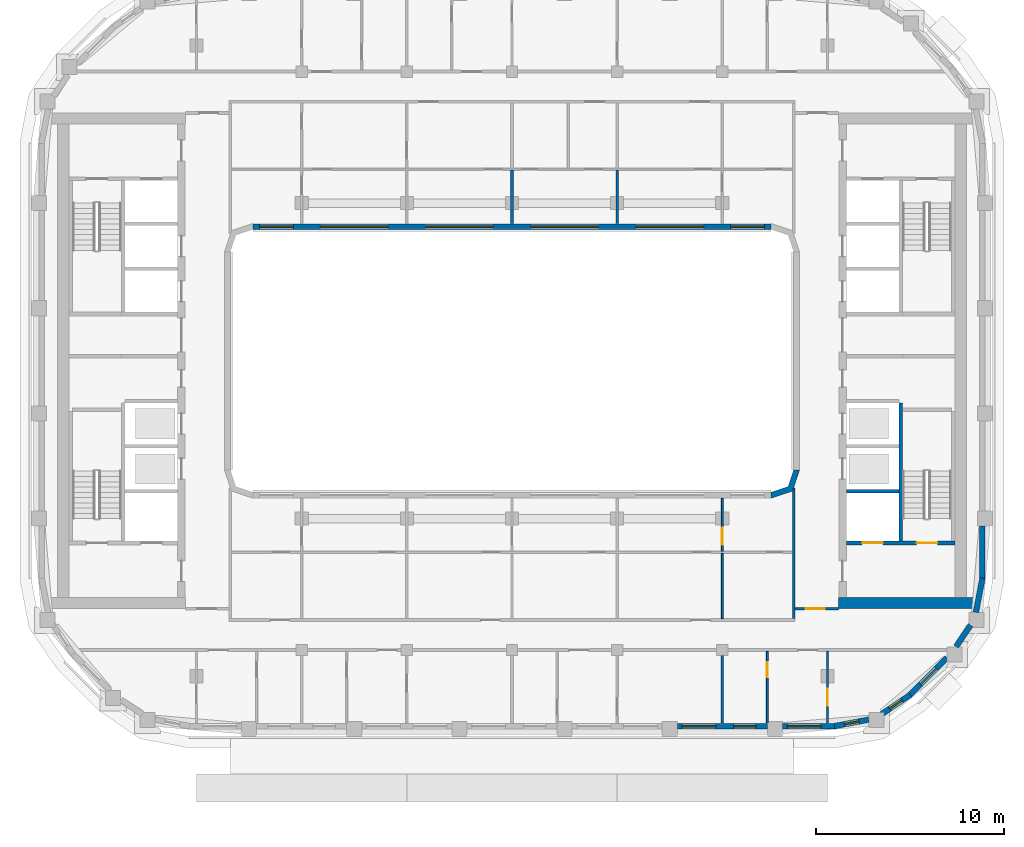
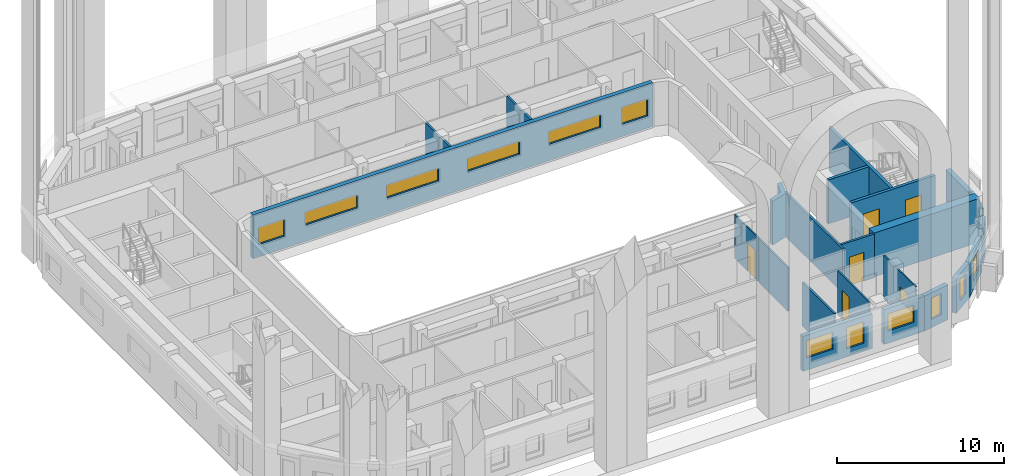
# One storey, part 5 of 19: 23 walls, 12 windows, 6 doors, 18 openings.
"""IFC4 building model written with IfcOpenShell, lengths in metres."""

import ifcopenshell
import ifcopenshell.guid

model = None  # the IFC model being written
_history = None  # IfcOwnerHistory: only IFC2X3 demands one
_inside = {}  # id of a spatial element -> (the spatial element, [elements in it])
_under = {}  # id of a project, library or spatial element -> (it, [spatial elements below it])
_declared = {}  # id of a project -> (the project, [libraries it declares])
_typed = {}  # id of a type object -> (the type object, [elements of that type])
_made_of = {}  # id of a material, layer set ... -> (it, [elements and type objects made of it])


def new_model(schema):
    """Start an empty IFC model of exactly this schema.

    Asked for "IFC4X3", IfcOpenShell would pick the latest addendum, in which some entities
    have other attributes; the version numbers below select the first issue.
    IFC2X3 requires an IfcOwnerHistory on every rooted entity: one is made here for all.
    """
    global model, _history
    if schema == "IFC4X3":
        model = ifcopenshell.file(schema_version=(4, 3, 0, 0))
    else:
        model = ifcopenshell.file(schema=schema)
    _inside.clear()
    _under.clear()
    _declared.clear()
    _typed.clear()
    _made_of.clear()
    _history = None
    if model.schema == "IFC2X3":
        org = make("IfcOrganization", Name="unknown")
        user = make(
            "IfcPersonAndOrganization",
            ThePerson=make("IfcPerson", FamilyName="unknown"),
            TheOrganization=org,
        )
        app = make(
            "IfcApplication",
            ApplicationDeveloper=org,
            Version="unknown",
            ApplicationFullName="unknown",
            ApplicationIdentifier="unknown",
        )
        _history = make(
            "IfcOwnerHistory",
            OwningUser=user,
            OwningApplication=app,
            ChangeAction="ADDED",
            CreationDate=0,
        )
    return model


def make(cls, **values):
    """One entity of the class cls with the attributes given. An attribute that is None is left unset."""
    return model.create_entity(
        cls, **{name: value for name, value in values.items() if value is not None}
    )


def rooted(cls, **values):
    """An entity with a GlobalId (a new one), such as an element, a storey or a relation."""
    return make(cls, GlobalId=ifcopenshell.guid.new(), OwnerHistory=_history, **values)


def si_unit(unit_type, name, prefix=None):
    """IfcSIUnit, for example si_unit("LENGTHUNIT", "METRE", prefix="MILLI")."""
    return make("IfcSIUnit", UnitType=unit_type, Prefix=prefix, Name=name)


def assignment(units):
    """IfcUnitAssignment: the units of a project."""
    return None if units is None else make("IfcUnitAssignment", Units=units)


def point(xyz):
    """IfcCartesianPoint."""
    return None if xyz is None else make("IfcCartesianPoint", Coordinates=xyz)


def direction(xyz):
    """IfcDirection."""
    return None if xyz is None else make("IfcDirection", DirectionRatios=xyz)


def frame(location, z_axis=None, x_axis=None):
    """IfcAxis2Placement3D, a coordinate frame: its origin and axes. An axis left out is left unset."""
    return make(
        "IfcAxis2Placement3D",
        Location=point(location),
        Axis=direction(z_axis),
        RefDirection=direction(x_axis),
    )


def frame_2d(location, x_axis=None):
    """IfcAxis2Placement2D, a coordinate frame in the plane: its origin and x axis."""
    return make(
        "IfcAxis2Placement2D", Location=point(location), RefDirection=direction(x_axis)
    )


def origin():
    """The frame at (0, 0, 0) with its axes left unset."""
    return frame((0.0, 0.0, 0.0))


def place(relative_to, where):
    """IfcLocalPlacement: puts the frame where relative to a parent placement (None: the world)."""
    return make(
        "IfcLocalPlacement", PlacementRelTo=relative_to, RelativePlacement=where
    )


def context(
    kind, dimensions, precision=None, world=None, true_north=None, identifier=None
):
    """IfcGeometricRepresentationContext, for example the 3D "Model" context."""
    return make(
        "IfcGeometricRepresentationContext",
        ContextIdentifier=identifier,
        ContextType=kind,
        CoordinateSpaceDimension=dimensions,
        Precision=precision,
        WorldCoordinateSystem=world,
        TrueNorth=true_north,
    )


def subcontext(parent, identifier, kind, view, scale=None):
    """IfcGeometricRepresentationSubContext, for example "Body" below "Model"."""
    return make(
        "IfcGeometricRepresentationSubContext",
        ContextIdentifier=identifier,
        ContextType=kind,
        ParentContext=parent,
        TargetScale=scale,
        TargetView=view,
    )


def project(units=None, contexts=None):
    """IfcProject with its units and contexts."""
    return rooted(
        "IfcProject",
        Name="project",
        RepresentationContexts=contexts,
        UnitsInContext=assignment(units),
    )


def spatial(cls, under=None, at=None, **own):
    """A site, building, storey or space (cls), placed at a placement, below another one or the project."""
    s = rooted(cls, ObjectPlacement=at, **own)
    if under is not None:
        _under.setdefault(under.id(), (under, []))[1].append(s)
    return s


def polyline(points):
    """IfcPolyline through the points."""
    return make("IfcPolyline", Points=[point(p) for p in points])


def profile(cls, at=None, kind="AREA", **sizes):
    """A parametric profile (cls). Its sizes go by their IFC names, for example OverallWidth=200.0."""
    return make(cls, ProfileType=kind, Position=at, **sizes)


def rectangle(**sizes):
    """IfcRectangleProfileDef."""
    return profile("IfcRectangleProfileDef", **sizes)


def outline(outer, holes=None, kind="AREA"):
    """IfcArbitraryClosedProfileDef: a profile drawn as a closed curve; with holes, ...WithVoids."""
    if holes is None:
        return make("IfcArbitraryClosedProfileDef", ProfileType=kind, OuterCurve=outer)
    return make(
        "IfcArbitraryProfileDefWithVoids",
        ProfileType=kind,
        OuterCurve=outer,
        InnerCurves=holes,
    )


def extrude(swept, where, along, depth):
    """IfcExtrudedAreaSolid: the profile swept, set in the frame where, extruded along a direction by depth."""
    return make(
        "IfcExtrudedAreaSolid",
        SweptArea=swept,
        Position=where,
        ExtrudedDirection=direction(along),
        Depth=depth,
    )


def shape(context_of_items, identifier, shape_type, items):
    """IfcShapeRepresentation: the items that make up one representation, for example the "Body"."""
    return make(
        "IfcShapeRepresentation",
        ContextOfItems=context_of_items,
        RepresentationIdentifier=identifier,
        RepresentationType=shape_type,
        Items=items,
    )


def material(Name=None, Category=None):
    """IfcMaterial."""
    return make("IfcMaterial", Name=Name, Category=Category)


def layer(
    of_material, thickness, ventilated=None, Name=None, Category=None, Priority=None
):
    """IfcMaterialLayer: one layer of a wall or slab, of a material (None: an air gap)."""
    return make(
        "IfcMaterialLayer",
        Material=of_material,
        LayerThickness=thickness,
        IsVentilated=ventilated,
        Name=Name,
        Category=Category,
        Priority=Priority,
    )


def layer_set(layers, Name=None):
    """IfcMaterialLayerSet."""
    return make("IfcMaterialLayerSet", MaterialLayers=layers, LayerSetName=Name)


def made_of(thing, what):
    """Note that an element or type object is made of a material, layer set ...; save() writes the relation."""
    if what is not None:
        _made_of.setdefault(what.id(), (what, []))[1].append(thing)
    return thing


def type_object(cls, material=None, **own):
    """A type object (cls), such as IfcWallType, which elements share."""
    return made_of(rooted(cls, **own), material)


def element(
    cls,
    number,
    at=None,
    inside=None,
    cuts=None,
    type_object=None,
    material=None,
    context=None,
    identifier="Body",
    shape_type=None,
    held_by="IfcProductDefinitionShape",
    body=None,
    shapes=None,
    **own,
):
    """One element of the class cls, such as IfcWall. Its Tag is "e" and its number.

    at: its placement. inside: the storey or other place that contains it. cuts: it is an
    opening in that element (IfcRelVoidsElement). A single representation is given by context,
    identifier, shape_type and body (its items); several are given by shapes. held_by: the class
    of the entity that holds the representations. save() writes the other relations.
    """
    e = rooted(cls, Tag="e%d" % number, ObjectPlacement=at, **own)
    if body is not None:
        shapes = [shape(context, identifier, shape_type, body)]
    if shapes is not None:
        e.Representation = make(held_by, Representations=shapes)
    if inside is not None:
        _inside.setdefault(inside.id(), (inside, []))[1].append(e)
    if cuts is not None:
        rooted(
            "IfcRelVoidsElement", RelatingBuildingElement=cuts, RelatedOpeningElement=e
        )
    if type_object is not None:
        _typed.setdefault(type_object.id(), (type_object, []))[1].append(e)
    return made_of(e, material)


def fill(opening, filler):
    """IfcRelFillsElement: the door or window that sits in an opening."""
    return rooted(
        "IfcRelFillsElement",
        RelatingOpeningElement=opening,
        RelatedBuildingElement=filler,
    )


def aggregate(whole, parts):
    """IfcRelAggregates: a whole, such as a stair, and the parts it consists of."""
    return rooted("IfcRelAggregates", RelatingObject=whole, RelatedObjects=parts)


def save(model, path):
    """Write the relations noted so far, then the file.

    IfcRelAggregates (storeys below a building ...), IfcRelContainedInSpatialStructure (elements
    in a storey), IfcRelDefinesByType, IfcRelAssociatesMaterial and IfcRelDeclares: one each for
    every whole, place, type object, material and project.
    """
    for whole, parts in _under.values():
        aggregate(whole, parts)
    for where, things in _inside.values():
        rooted(
            "IfcRelContainedInSpatialStructure",
            RelatedElements=things,
            RelatingStructure=where,
        )
    for kind, things in _typed.values():
        rooted("IfcRelDefinesByType", RelatedObjects=things, RelatingType=kind)
    for what, things in _made_of.values():
        rooted("IfcRelAssociatesMaterial", RelatedObjects=things, RelatingMaterial=what)
    for by, libraries in _declared.values():
        rooted("IfcRelDeclares", RelatingContext=by, RelatedDefinitions=libraries)
    model.write(path)


model = new_model("IFC4")

# Units and contexts
model_context = context("Model", 3, precision=1e-05, world=origin(), true_north=direction((0.0, 1.0)))
body_context = subcontext(model_context, "Body", "Model", "MODEL_VIEW")
ifc_project = project(units=[si_unit("LENGTHUNIT", "METRE"), si_unit("AREAUNIT", "SQUARE_METRE"), si_unit("VOLUMEUNIT", "CUBIC_METRE"), si_unit("PLANEANGLEUNIT", "RADIAN"), si_unit("MASSUNIT", "GRAM", prefix="KILO")], contexts=[model_context])

# Site, building, storey
site_placement = place(None, origin())
site = spatial("IfcSite", under=ifc_project, at=site_placement, CompositionType="ELEMENT")
building_placement = place(site_placement, origin())
building = spatial("IfcBuilding", under=site, at=building_placement, Name="Kiln Ring Residences", CompositionType="ELEMENT")
storey_placement = place(building_placement, frame((0.0, 0.0, 241.699951171875)))
storey = spatial("IfcBuildingStorey", under=building, at=storey_placement, Name="L62", CompositionType="ELEMENT", Elevation=241.699951171875)

# Walls
ifc_material_1 = material(Name="Gypsum shaft wall system")
ifc_layer_1 = layer(ifc_material_1, 0.199951171875)
ifc_layer_set_1 = layer_set([ifc_layer_1], Name="CORE-SHAFT-WALL-200")
wall_type_1 = type_object("IfcWallType", Name="CORE-SHAFT-WALL-200", PredefinedType="PARTITIONING", material=ifc_layer_set_1)
wall_1_placement = place(storey_placement, frame((17.800048828125, -6.949951171875, 0.0), z_axis=(0.0, 0.0, 1.0), x_axis=(1.0, 0.0, 0.0)))
element("IfcWall", 1, at=wall_1_placement, inside=storey, type_object=wall_type_1, Name="Core partition east L62 2", PredefinedType="PARTITIONING", context=body_context, shape_type="SweptSolid", body=[
    extrude(rectangle(XDim=2.800048828125, YDim=0.199951171875, at=frame_2d((1.39990234375, 0.0))), origin(), (0.0, 0.0, 1.0), 3.199951171875),
])
ifc_material_2 = material(Name="Concrete C40/50", Category="concrete")
ifc_layer_2 = layer(ifc_material_2, 0.199951171875)
ifc_layer_set_2 = layer_set([ifc_layer_2], Name="CORE-WALL-RC200")
wall_type_2 = type_object("IfcWallType", Name="CORE-WALL-RC200", PredefinedType="SHEAR", material=ifc_layer_set_2)
wall_2_placement = place(storey_placement, frame((20.699951171875, -9.60009765625, 0.0), z_axis=(0.0, 0.0, 1.0), x_axis=(0.0, 1.0, 0.0)))
element("IfcWall", 2, at=wall_2_placement, inside=storey, type_object=wall_type_2, Name="Core wall east L62 2", PredefinedType="SHEAR", context=body_context, shape_type="SweptSolid", body=[
    extrude(rectangle(XDim=7.35009765625, YDim=0.199951171875, at=frame_2d((3.675048828125, 0.0))), origin(), (0.0, 0.0, 1.0), 3.199951171875),
])

# Wall, openings, doors
wall_3_placement = place(storey_placement, frame((17.800048828125, -9.699951171875, 0.0), z_axis=(0.0, 0.0, 1.0), x_axis=(1.0, 0.0, 0.0)))
wall_3 = element("IfcWall", 3, at=wall_3_placement, inside=storey, type_object=wall_type_2, Name="Core wall east L62 8", PredefinedType="SHEAR", context=body_context, shape_type="SweptSolid", body=[
    extrude(rectangle(XDim=5.800048828125, YDim=0.199951171875, at=frame_2d((2.89990234375, 0.0))), origin(), (0.0, 0.0, 1.0), 3.199951171875),
])
opening_1_placement = place(wall_3_placement, frame((0.85009765625, 0.0, 0.0)))
opening_1 = element("IfcOpeningElement", 4, at=opening_1_placement, cuts=wall_3, Name="Opening L62-CE01", PredefinedType="OPENING", context=body_context, shape_type="SweptSolid", body=[
    extrude(rectangle(XDim=1.10009765625, YDim=2.10009765625, at=frame_2d((0.550048828125, 1.050048828125))), frame((0.0, 0.10986328125, 0.0), z_axis=(0.0, -1.0, 0.0), x_axis=(1.0, 0.0, 0.0)), (0.0, 0.0, 1.0), 0.219970703125),
])
opening_2_placement = place(wall_3_placement, frame((3.75, 0.0, 0.0)))
opening_2 = element("IfcOpeningElement", 5, at=opening_2_placement, cuts=wall_3, Name="Opening L62-CE11", PredefinedType="OPENING", context=body_context, shape_type="SweptSolid", body=[
    extrude(rectangle(XDim=1.10009765625, YDim=2.10009765625, at=frame_2d((0.550048828125, 1.050048828125))), frame((0.0, 0.10986328125, 0.0), z_axis=(0.0, -1.0, 0.0), x_axis=(1.0, 0.0, 0.0)), (0.0, 0.0, 1.0), 0.219970703125),
])
ifc_material_3 = material(Name="Steel door leaf", Category="steel")
door_type_1 = type_object("IfcDoorType", Name="CORE-DOOR-LD", OperationType="DOUBLE_DOOR_SLIDING", PredefinedType="DOOR", material=ifc_material_3)
door_1_placement = place(opening_1_placement, origin())
door_1 = element("IfcDoor", 6, at=door_1_placement, inside=storey, type_object=door_type_1, Name="LD E-SV L62-CE01", OperationType="DOUBLE_DOOR_SLIDING", OverallHeight=2.10009765625, OverallWidth=1.10009765625, PredefinedType="DOOR", context=body_context, shape_type="SweptSolid", body=[
    extrude(rectangle(XDim=1.10009765625, YDim=2.10009765625, at=frame_2d((0.550048828125, 1.050048828125))), frame((0.0, 0.02490234375, 0.0), z_axis=(0.0, -1.0, 0.0), x_axis=(1.0, 0.0, 0.0)), (0.0, 0.0, 1.0), 0.050048828125),
])
fill(opening_1, door_1)
ifc_material_4 = material(Name="Steel door leaf", Category="steel")
door_type_2 = type_object("IfcDoorType", Name="CORE-DOOR-STAIR", OperationType="SINGLE_SWING_LEFT", PredefinedType="DOOR", material=ifc_material_4)
door_2_placement = place(opening_2_placement, origin())
door_2 = element("IfcDoor", 7, at=door_2_placement, inside=storey, type_object=door_type_2, Name="Stair E-STS L62-CE11", OperationType="SINGLE_SWING_LEFT", OverallHeight=2.10009765625, OverallWidth=1.10009765625, PredefinedType="DOOR", context=body_context, shape_type="SweptSolid", body=[
    extrude(rectangle(XDim=1.10009765625, YDim=2.10009765625, at=frame_2d((0.550048828125, 1.050048828125))), frame((0.0, 0.02490234375, 0.0), z_axis=(0.0, -1.0, 0.0), x_axis=(1.0, 0.0, 0.0)), (0.0, 0.0, 1.0), 0.050048828125),
])
fill(opening_2, door_2)

# Wall
ifc_material_5 = material(Name="Concrete C60/75", Category="concrete")
ifc_layer_3 = layer(ifc_material_5, 0.60009765625)
ifc_layer_set_3 = layer_set([ifc_layer_3], Name="CORE-WALL-RC600")
wall_type_3 = type_object("IfcWallType", Name="CORE-WALL-RC600", PredefinedType="SHEAR", material=ifc_layer_set_3)
wall_4_placement = place(storey_placement, frame((17.39990234375, -12.89990234375, 0.0), z_axis=(0.0, 0.0, 1.0), x_axis=(1.0, 0.0, 0.0)))
element("IfcWall", 8, at=wall_4_placement, inside=storey, type_object=wall_type_3, Name="Core wall east L62 5", PredefinedType="SHEAR", context=body_context, shape_type="SweptSolid", body=[
    extrude(rectangle(XDim=7.320068359375, YDim=0.60009765625, at=frame_2d((3.66015625, 0.0))), origin(), (0.0, 0.0, 1.0), 3.199951171875),
])

# Wall, openings, windows
ifc_material_6 = material(Name="Brick masonry, dark clay brick", Category="masonry")
ifc_layer_4 = layer(ifc_material_6, 0.300048828125)
ifc_layer_set_4 = layer_set([ifc_layer_4], Name="EW-300 BRICK WALL")
wall_type_4 = type_object("IfcWallType", Name="EW-300 BRICK WALL", PredefinedType="SOLIDWALL", material=ifc_layer_set_4)
wall_5_placement = place(storey_placement, frame((8.800048828125, -19.449951171875, 0.0), z_axis=(0.0, 0.0, 1.0), x_axis=(1.0, 0.0, 0.0)))
wall_5 = element("IfcWall", 9, at=wall_5_placement, inside=storey, type_object=wall_type_4, Name="Facade wall L62 9", PredefinedType="SOLIDWALL", context=body_context, shape_type="SweptSolid", body=[
    extrude(rectangle(XDim=4.800048828125, YDim=0.300048828125, at=frame_2d((2.39990234375, 0.0))), origin(), (0.0, 0.0, 1.0), 2.550048828125),
])
opening_3_placement = place(wall_5_placement, frame((0.262451171875, 0.0, 0.89990234375)))
opening_3 = element("IfcOpeningElement", 10, at=opening_3_placement, cuts=wall_5, Name="Opening W2", PredefinedType="OPENING", context=body_context, shape_type="SweptSolid", body=[
    extrude(rectangle(XDim=1.800048828125, YDim=1.25, at=frame_2d((0.89990234375, 0.625))), frame((0.0, 0.159912109375, 0.0), z_axis=(0.0, -1.0, 0.0), x_axis=(1.0, 0.0, 0.0)), (0.0, 0.0, 1.0), 0.320068359375),
])
opening_4_placement = place(wall_5_placement, frame((3.0, 0.0, 0.60009765625)))
opening_4 = element("IfcOpeningElement", 11, at=opening_4_placement, cuts=wall_5, Name="Opening W1", PredefinedType="OPENING", context=body_context, shape_type="SweptSolid", body=[
    extrude(rectangle(XDim=1.199951171875, YDim=1.550048828125, at=frame_2d((0.60009765625, 0.77490234375))), frame((0.0, 0.159912109375, 0.0), z_axis=(0.0, -1.0, 0.0), x_axis=(1.0, 0.0, 0.0)), (0.0, 0.0, 1.0), 0.320068359375),
])
ifc_material_7 = material(Name="Aluminium frame with double glazing", Category="aluminium")
window_type_1 = type_object("IfcWindowType", Name="WINDOW 1200 x 1550", PartitioningType="SINGLE_PANEL", PredefinedType="WINDOW", material=ifc_material_7)
window_1_placement = place(opening_4_placement, origin())
window_1 = element("IfcWindow", 12, at=window_1_placement, inside=storey, type_object=window_type_1, Name="Window L62 13", OverallHeight=1.550048828125, OverallWidth=1.199951171875, PartitioningType="SINGLE_PANEL", PredefinedType="WINDOW", context=body_context, shape_type="SweptSolid", body=[
    extrude(rectangle(XDim=1.199951171875, YDim=1.550048828125, at=frame_2d((0.60009765625, 0.77490234375))), frame((0.0, 0.030029296875, 0.0), z_axis=(0.0, -1.0, 0.0), x_axis=(1.0, 0.0, 0.0)), (0.0, 0.0, 1.0), 0.06005859375),
])
fill(opening_4, window_1)
ifc_material_8 = material(Name="Aluminium frame with double glazing", Category="aluminium")
window_type_2 = type_object("IfcWindowType", Name="WINDOW 1800 x 1250", PartitioningType="SINGLE_PANEL", PredefinedType="WINDOW", material=ifc_material_8)
window_2_placement = place(opening_3_placement, origin())
window_2 = element("IfcWindow", 13, at=window_2_placement, inside=storey, type_object=window_type_2, Name="Window L62 12", OverallHeight=1.25, OverallWidth=1.800048828125, PartitioningType="SINGLE_PANEL", PredefinedType="WINDOW", context=body_context, shape_type="SweptSolid", body=[
    extrude(rectangle(XDim=1.800048828125, YDim=1.25, at=frame_2d((0.89990234375, 0.625))), frame((0.0, 0.030029296875, 0.0), z_axis=(0.0, -1.0, 0.0), x_axis=(1.0, 0.0, 0.0)), (0.0, 0.0, 1.0), 0.06005859375),
])
fill(opening_3, window_2)

# Wall, opening, window
wall_6_placement = place(storey_placement, frame((14.39990234375, -19.449951171875, 0.0), z_axis=(0.0, 0.0, 1.0), x_axis=(1.0, 0.0, 0.0)))
wall_6 = element("IfcWall", 14, at=wall_6_placement, inside=storey, type_object=wall_type_4, Name="Facade wall L62 10", PredefinedType="SOLIDWALL", context=body_context, shape_type="SweptSolid", body=[
    extrude(rectangle(XDim=2.800048828125, YDim=0.300048828125, at=frame_2d((1.39990234375, 0.0))), origin(), (0.0, 0.0, 1.0), 2.550048828125),
])
opening_5_placement = place(wall_6_placement, frame((0.262451171875, 0.0, 0.89990234375)))
opening_5 = element("IfcOpeningElement", 15, at=opening_5_placement, cuts=wall_6, Name="Opening W2", PredefinedType="OPENING", context=body_context, shape_type="SweptSolid", body=[
    extrude(rectangle(XDim=1.800048828125, YDim=1.25, at=frame_2d((0.89990234375, 0.625))), frame((0.0, 0.159912109375, 0.0), z_axis=(0.0, -1.0, 0.0), x_axis=(1.0, 0.0, 0.0)), (0.0, 0.0, 1.0), 0.320068359375),
])
window_3_placement = place(opening_5_placement, origin())
window_3 = element("IfcWindow", 16, at=window_3_placement, inside=storey, type_object=window_type_2, Name="Window L62 14", OverallHeight=1.25, OverallWidth=1.800048828125, PartitioningType="SINGLE_PANEL", PredefinedType="WINDOW", context=body_context, shape_type="SweptSolid", body=[
    extrude(rectangle(XDim=1.800048828125, YDim=1.25, at=frame_2d((0.89990234375, 0.625))), frame((0.0, 0.030029296875, 0.0), z_axis=(0.0, -1.0, 0.0), x_axis=(1.0, 0.0, 0.0)), (0.0, 0.0, 1.0), 0.06005859375),
])
fill(opening_5, window_3)

wall_7_placement = place(storey_placement, frame((17.171875, -19.45263671875, 0.0), z_axis=(0.0, 0.0, 1.0), x_axis=(0.982301706131, 0.187305520826, 0.0)))
wall_7 = element("IfcWall", 17, at=wall_7_placement, inside=storey, type_object=wall_type_4, Name="Facade wall L62 11", PredefinedType="SOLIDWALL", context=body_context, shape_type="SweptSolid", body=[
    extrude(rectangle(XDim=1.856201171875, YDim=0.300048828125, at=frame_2d((0.92822265625, 0.0))), origin(), (0.0, 0.0, 1.0), 2.550048828125),
])
opening_6_placement = place(wall_7_placement, frame((0.528076171875, 0.0, 0.60009765625)))
opening_6 = element("IfcOpeningElement", 18, at=opening_6_placement, cuts=wall_7, Name="Opening W5", PredefinedType="OPENING", context=body_context, shape_type="SweptSolid", body=[
    extrude(rectangle(XDim=0.800048828125, YDim=1.550048828125, at=frame_2d((0.39990234375, 0.77490234375))), frame((0.0, 0.159912109375, 0.0), z_axis=(0.0, -1.0, 0.0), x_axis=(1.0, 0.0, 0.0)), (0.0, 0.0, 1.0), 0.320068359375),
])
ifc_material_9 = material(Name="Aluminium frame with double glazing", Category="aluminium")
window_type_3 = type_object("IfcWindowType", Name="WINDOW 800 x 1550", PartitioningType="SINGLE_PANEL", PredefinedType="WINDOW", material=ifc_material_9)
window_4_placement = place(opening_6_placement, origin())
window_4 = element("IfcWindow", 19, at=window_4_placement, inside=storey, type_object=window_type_3, Name="Window L62 15", OverallHeight=1.550048828125, OverallWidth=0.800048828125, PartitioningType="SINGLE_PANEL", PredefinedType="WINDOW", context=body_context, shape_type="SweptSolid", body=[
    extrude(rectangle(XDim=0.800048828125, YDim=1.550048828125, at=frame_2d((0.39990234375, 0.77490234375))), frame((0.0, 0.030029296875, 0.0), z_axis=(0.0, -1.0, 0.0), x_axis=(1.0, 0.0, 0.0)), (0.0, 0.0, 1.0), 0.06005859375),
])
fill(opening_6, window_4)

wall_8_placement = place(storey_placement, frame((19.677734375, -18.822265625, 0.0), z_axis=(0.0, 0.0, 1.0), x_axis=(0.826997446962, 0.562205676526, 0.0)))
wall_8 = element("IfcWall", 20, at=wall_8_placement, inside=storey, type_object=wall_type_4, Name="Facade wall L62 12", PredefinedType="SOLIDWALL", context=body_context, shape_type="SweptSolid", body=[
    extrude(rectangle(XDim=1.85595703125, YDim=0.300048828125, at=frame_2d((0.927978515625, 0.0))), origin(), (0.0, 0.0, 1.0), 2.550048828125),
])
opening_7_placement = place(wall_8_placement, frame((0.528076171875, 0.0, 0.60009765625)))
opening_7 = element("IfcOpeningElement", 21, at=opening_7_placement, cuts=wall_8, Name="Opening W5", PredefinedType="OPENING", context=body_context, shape_type="SweptSolid", body=[
    extrude(rectangle(XDim=0.800048828125, YDim=1.550048828125, at=frame_2d((0.39990234375, 0.77490234375))), frame((0.0, 0.159912109375, 0.0), z_axis=(0.0, -1.0, 0.0), x_axis=(1.0, 0.0, 0.0)), (0.0, 0.0, 1.0), 0.320068359375),
])
window_5_placement = place(opening_7_placement, origin())
window_5 = element("IfcWindow", 22, at=window_5_placement, inside=storey, type_object=window_type_3, Name="Window L62 16", OverallHeight=1.550048828125, OverallWidth=0.800048828125, PartitioningType="SINGLE_PANEL", PredefinedType="WINDOW", context=body_context, shape_type="SweptSolid", body=[
    extrude(rectangle(XDim=0.800048828125, YDim=1.550048828125, at=frame_2d((0.39990234375, 0.77490234375))), frame((0.0, 0.030029296875, 0.0), z_axis=(0.0, -1.0, 0.0), x_axis=(1.0, 0.0, 0.0)), (0.0, 0.0, 1.0), 0.06005859375),
])
fill(opening_7, window_5)

wall_9_placement = place(storey_placement, frame((21.19091796875, -17.796875, 0.0), z_axis=(0.0, 0.0, 1.0), x_axis=(0.707106781187, 0.707106781187, 0.0)))
wall_9 = element("IfcWall", 23, at=wall_9_placement, inside=storey, type_object=wall_type_4, Name="Facade wall L62 13", PredefinedType="SOLIDWALL", context=body_context, shape_type="SweptSolid", body=[
    extrude(rectangle(XDim=2.800048828125, YDim=0.300048828125, at=frame_2d((1.39990234375, 0.0))), origin(), (0.0, 0.0, 1.0), 2.550048828125),
])
opening_8_placement = place(wall_9_placement, frame((0.800048828125, 0.0, 0.60009765625)))
opening_8 = element("IfcOpeningElement", 24, at=opening_8_placement, cuts=wall_9, Name="Opening W1", PredefinedType="OPENING", context=body_context, shape_type="SweptSolid", body=[
    extrude(rectangle(XDim=1.199951171875, YDim=1.550048828125, at=frame_2d((0.60009765625, 0.77490234375))), frame((0.0, 0.159912109375, 0.0), z_axis=(0.0, -1.0, 0.0), x_axis=(1.0, 0.0, 0.0)), (0.0, 0.0, 1.0), 0.320068359375),
])
window_6_placement = place(opening_8_placement, origin())
window_6 = element("IfcWindow", 25, at=window_6_placement, inside=storey, type_object=window_type_1, Name="Window L62 17", OverallHeight=1.550048828125, OverallWidth=1.199951171875, PartitioningType="SINGLE_PANEL", PredefinedType="WINDOW", context=body_context, shape_type="SweptSolid", body=[
    extrude(rectangle(XDim=1.199951171875, YDim=1.550048828125, at=frame_2d((0.60009765625, 0.77490234375))), frame((0.0, 0.030029296875, 0.0), z_axis=(0.0, -1.0, 0.0), x_axis=(1.0, 0.0, 0.0)), (0.0, 0.0, 1.0), 0.06005859375),
])
fill(opening_8, window_6)

# Walls
wall_10_placement = place(storey_placement, frame((23.648193359375, -15.216552734375, 0.0), z_axis=(0.0, 0.0, 1.0), x_axis=(0.562043265151, 0.827107833416, 0.0)))
element("IfcWall", 26, at=wall_10_placement, inside=storey, type_object=wall_type_4, Name="Facade wall L62 14", PredefinedType="SOLIDWALL", context=body_context, shape_type="SweptSolid", body=[
    extrude(rectangle(XDim=1.376953125, YDim=0.300048828125, at=frame_2d((0.6884765625, 0.0))), origin(), (0.0, 0.0, 1.0), 2.550048828125),
])
wall_11_placement = place(storey_placement, frame((24.704833984375, -13.395263671875, 0.0), z_axis=(0.0, 0.0, 1.0), x_axis=(0.187408222942, 0.982282117303, 0.0)))
element("IfcWall", 27, at=wall_11_placement, inside=storey, type_object=wall_type_4, Name="Facade wall L62 15", PredefinedType="SOLIDWALL", context=body_context, shape_type="SweptSolid", body=[
    extrude(rectangle(XDim=1.8564453125, YDim=0.300048828125, at=frame_2d((0.92822265625, 0.0))), origin(), (0.0, 0.0, 1.0), 2.550048828125),
])
wall_12_placement = place(storey_placement, frame((25.050048828125, -11.60009765625, 0.0), z_axis=(0.0, 0.0, 1.0), x_axis=(0.0, 1.0, 0.0)))
element("IfcWall", 28, at=wall_12_placement, inside=storey, type_object=wall_type_4, Name="Facade wall L62 16", PredefinedType="SOLIDWALL", context=body_context, shape_type="SweptSolid", body=[
    extrude(rectangle(XDim=2.800048828125, YDim=0.300048828125, at=frame_2d((1.39990234375, 0.0))), origin(), (0.0, 0.0, 1.0), 2.550048828125),
])

# Wall, openings, windows
wall_13_placement = place(storey_placement, frame((-13.800048828125, 7.14990234375, 0.0), z_axis=(0.0, 0.0, 1.0), x_axis=(1.0, 0.0, 0.0)))
wall_13 = element("IfcWall", 29, at=wall_13_placement, inside=storey, type_object=wall_type_4, Name="Facade wall L62 46", PredefinedType="SOLIDWALL", context=body_context, shape_type="SweptSolid", body=[
    extrude(rectangle(XDim=27.60009765625, YDim=0.300048828125, at=frame_2d((13.800048828125, 0.0))), origin(), (0.0, 0.0, 1.0), 3.199951171875),
])
opening_9_placement = place(wall_13_placement, frame((0.362548828125, 0.0, 0.89990234375)))
opening_9 = element("IfcOpeningElement", 30, at=opening_9_placement, cuts=wall_13, Name="Opening W2", PredefinedType="OPENING", context=body_context, shape_type="SweptSolid", body=[
    extrude(rectangle(XDim=1.800048828125, YDim=1.25, at=frame_2d((0.89990234375, 0.625))), frame((0.0, 0.159912109375, 0.0), z_axis=(0.0, -1.0, 0.0), x_axis=(1.0, 0.0, 0.0)), (0.0, 0.0, 1.0), 0.320068359375),
])
opening_10_placement = place(wall_13_placement, frame((3.60009765625, 0.0, 1.199951171875)))
opening_10 = element("IfcOpeningElement", 31, at=opening_10_placement, cuts=wall_13, Name="Opening W4", PredefinedType="OPENING", context=body_context, shape_type="SweptSolid", body=[
    extrude(rectangle(XDim=3.60009765625, YDim=0.949951171875, at=frame_2d((1.800048828125, 0.47509765625))), frame((0.0, 0.159912109375, 0.0), z_axis=(0.0, -1.0, 0.0), x_axis=(1.0, 0.0, 0.0)), (0.0, 0.0, 1.0), 0.320068359375),
])
opening_11_placement = place(wall_13_placement, frame((9.199951171875, 0.0, 1.199951171875)))
opening_11 = element("IfcOpeningElement", 32, at=opening_11_placement, cuts=wall_13, Name="Opening W4", PredefinedType="OPENING", context=body_context, shape_type="SweptSolid", body=[
    extrude(rectangle(XDim=3.60009765625, YDim=0.949951171875, at=frame_2d((1.800048828125, 0.47509765625))), frame((0.0, 0.159912109375, 0.0), z_axis=(0.0, -1.0, 0.0), x_axis=(1.0, 0.0, 0.0)), (0.0, 0.0, 1.0), 0.320068359375),
])
opening_12_placement = place(wall_13_placement, frame((14.800048828125, 0.0, 1.199951171875)))
opening_12 = element("IfcOpeningElement", 33, at=opening_12_placement, cuts=wall_13, Name="Opening W4", PredefinedType="OPENING", context=body_context, shape_type="SweptSolid", body=[
    extrude(rectangle(XDim=3.60009765625, YDim=0.949951171875, at=frame_2d((1.800048828125, 0.47509765625))), frame((0.0, 0.159912109375, 0.0), z_axis=(0.0, -1.0, 0.0), x_axis=(1.0, 0.0, 0.0)), (0.0, 0.0, 1.0), 0.320068359375),
])
opening_13_placement = place(wall_13_placement, frame((20.39990234375, 0.0, 1.199951171875)))
opening_13 = element("IfcOpeningElement", 34, at=opening_13_placement, cuts=wall_13, Name="Opening W4", PredefinedType="OPENING", context=body_context, shape_type="SweptSolid", body=[
    extrude(rectangle(XDim=3.60009765625, YDim=0.949951171875, at=frame_2d((1.800048828125, 0.47509765625))), frame((0.0, 0.159912109375, 0.0), z_axis=(0.0, -1.0, 0.0), x_axis=(1.0, 0.0, 0.0)), (0.0, 0.0, 1.0), 0.320068359375),
])
opening_14_placement = place(wall_13_placement, frame((25.4375, 0.0, 0.89990234375)))
opening_14 = element("IfcOpeningElement", 35, at=opening_14_placement, cuts=wall_13, Name="Opening W2", PredefinedType="OPENING", context=body_context, shape_type="SweptSolid", body=[
    extrude(rectangle(XDim=1.800048828125, YDim=1.25, at=frame_2d((0.89990234375, 0.625))), frame((0.0, 0.159912109375, 0.0), z_axis=(0.0, -1.0, 0.0), x_axis=(1.0, 0.0, 0.0)), (0.0, 0.0, 1.0), 0.320068359375),
])
window_7_placement = place(opening_9_placement, origin())
window_7 = element("IfcWindow", 36, at=window_7_placement, inside=storey, type_object=window_type_2, Name="Window L62 37", OverallHeight=1.25, OverallWidth=1.800048828125, PartitioningType="SINGLE_PANEL", PredefinedType="WINDOW", context=body_context, shape_type="SweptSolid", body=[
    extrude(rectangle(XDim=1.800048828125, YDim=1.25, at=frame_2d((0.89990234375, 0.625))), frame((0.0, 0.030029296875, 0.0), z_axis=(0.0, -1.0, 0.0), x_axis=(1.0, 0.0, 0.0)), (0.0, 0.0, 1.0), 0.06005859375),
])
fill(opening_9, window_7)
window_8_placement = place(opening_14_placement, origin())
window_8 = element("IfcWindow", 37, at=window_8_placement, inside=storey, type_object=window_type_2, Name="Window L62 42", OverallHeight=1.25, OverallWidth=1.800048828125, PartitioningType="SINGLE_PANEL", PredefinedType="WINDOW", context=body_context, shape_type="SweptSolid", body=[
    extrude(rectangle(XDim=1.800048828125, YDim=1.25, at=frame_2d((0.89990234375, 0.625))), frame((0.0, 0.030029296875, 0.0), z_axis=(0.0, -1.0, 0.0), x_axis=(1.0, 0.0, 0.0)), (0.0, 0.0, 1.0), 0.06005859375),
])
fill(opening_14, window_8)
ifc_material_10 = material(Name="Aluminium frame with double glazing", Category="aluminium")
window_type_4 = type_object("IfcWindowType", Name="WINDOW 3600 x 950", PartitioningType="SINGLE_PANEL", PredefinedType="WINDOW", material=ifc_material_10)
window_9_placement = place(opening_10_placement, origin())
window_9 = element("IfcWindow", 38, at=window_9_placement, inside=storey, type_object=window_type_4, Name="Window L62 38", OverallHeight=0.949951171875, OverallWidth=3.60009765625, PartitioningType="SINGLE_PANEL", PredefinedType="WINDOW", context=body_context, shape_type="SweptSolid", body=[
    extrude(rectangle(XDim=3.60009765625, YDim=0.949951171875, at=frame_2d((1.800048828125, 0.47509765625))), frame((0.0, 0.030029296875, 0.0), z_axis=(0.0, -1.0, 0.0), x_axis=(1.0, 0.0, 0.0)), (0.0, 0.0, 1.0), 0.06005859375),
])
fill(opening_10, window_9)
window_10_placement = place(opening_11_placement, origin())
window_10 = element("IfcWindow", 39, at=window_10_placement, inside=storey, type_object=window_type_4, Name="Window L62 39", OverallHeight=0.949951171875, OverallWidth=3.60009765625, PartitioningType="SINGLE_PANEL", PredefinedType="WINDOW", context=body_context, shape_type="SweptSolid", body=[
    extrude(rectangle(XDim=3.60009765625, YDim=0.949951171875, at=frame_2d((1.800048828125, 0.47509765625))), frame((0.0, 0.030029296875, 0.0), z_axis=(0.0, -1.0, 0.0), x_axis=(1.0, 0.0, 0.0)), (0.0, 0.0, 1.0), 0.06005859375),
])
fill(opening_11, window_10)
window_11_placement = place(opening_12_placement, origin())
window_11 = element("IfcWindow", 40, at=window_11_placement, inside=storey, type_object=window_type_4, Name="Window L62 40", OverallHeight=0.949951171875, OverallWidth=3.60009765625, PartitioningType="SINGLE_PANEL", PredefinedType="WINDOW", context=body_context, shape_type="SweptSolid", body=[
    extrude(rectangle(XDim=3.60009765625, YDim=0.949951171875, at=frame_2d((1.800048828125, 0.47509765625))), frame((0.0, 0.030029296875, 0.0), z_axis=(0.0, -1.0, 0.0), x_axis=(1.0, 0.0, 0.0)), (0.0, 0.0, 1.0), 0.06005859375),
])
fill(opening_12, window_11)
window_12_placement = place(opening_13_placement, origin())
window_12 = element("IfcWindow", 41, at=window_12_placement, inside=storey, type_object=window_type_4, Name="Window L62 41", OverallHeight=0.949951171875, OverallWidth=3.60009765625, PartitioningType="SINGLE_PANEL", PredefinedType="WINDOW", context=body_context, shape_type="SweptSolid", body=[
    extrude(rectangle(XDim=3.60009765625, YDim=0.949951171875, at=frame_2d((1.800048828125, 0.47509765625))), frame((0.0, 0.030029296875, 0.0), z_axis=(0.0, -1.0, 0.0), x_axis=(1.0, 0.0, 0.0)), (0.0, 0.0, 1.0), 0.06005859375),
])
fill(opening_13, window_12)

# Walls
wall_14_placement = place(storey_placement, origin())
element("IfcWall", 42, at=wall_14_placement, inside=storey, type_object=wall_type_4, Name="Corner wall L62 3", PredefinedType="SOLIDWALL", context=body_context, shape_type="SweptSolid", body=[
    extrude(outline(polyline([(14.937255859375, -6.937255859375), (15.300048828125, -5.8486328125), (15.300048828125, -5.800048828125), (15.0, -5.800048828125), (14.699951171875, -6.699951171875), (13.800048828125, -7.0), (13.800048828125, -7.300048828125), (13.8486328125, -7.300048828125), (14.937255859375, -6.937255859375)])), origin(), (0.0, 0.0, 1.0), 3.199951171875),
])
ifc_material_11 = material(Name="Gypsum board on steel studs", Category="steel")
ifc_layer_5 = layer(ifc_material_11, 0.10009765625)
ifc_layer_set_5 = layer_set([ifc_layer_5], Name="PARTITION-100")
wall_type_5 = type_object("IfcWallType", Name="PARTITION-100", PredefinedType="PARTITIONING", material=ifc_layer_set_5)
wall_15_placement = place(storey_placement, frame((11.199951171875, -13.72509765625, 0.0), z_axis=(0.0, 0.0, 1.0), x_axis=(0.0, 1.0, 0.0)))
element("IfcWall", 43, at=wall_15_placement, inside=storey, type_object=wall_type_5, Name="Partition 044", PredefinedType="PARTITIONING", context=body_context, shape_type="SweptSolid", body=[
    extrude(rectangle(XDim=3.47509765625, YDim=0.10009765625, at=frame_2d((1.737548828125, 0.0))), origin(), (0.0, 0.0, 1.0), 3.199951171875),
])

# Wall, opening, door
wall_16_placement = place(storey_placement, frame((11.199951171875, -10.14990234375, 0.0), z_axis=(0.0, 0.0, 1.0), x_axis=(0.0, 1.0, 0.0)))
wall_16 = element("IfcWall", 44, at=wall_16_placement, inside=storey, type_object=wall_type_5, Name="Partition 045", PredefinedType="PARTITIONING", context=body_context, shape_type="SweptSolid", body=[
    extrude(rectangle(XDim=2.829833984375, YDim=0.10009765625, at=frame_2d((1.4150390625, 0.0))), origin(), (0.0, 0.0, 1.0), 3.199951171875),
])
opening_15_placement = place(wall_16_placement, frame((0.35009765625, 0.0, 0.0)))
opening_15 = element("IfcOpeningElement", 45, at=opening_15_placement, cuts=wall_16, Name="Opening L62-D040", PredefinedType="OPENING", context=body_context, shape_type="SweptSolid", body=[
    extrude(rectangle(XDim=0.89990234375, YDim=2.10009765625, at=frame_2d((0.449951171875, 1.050048828125))), frame((0.0, 0.06005859375, 0.0), z_axis=(0.0, -1.0, 0.0), x_axis=(1.0, 0.0, 0.0)), (0.0, 0.0, 1.0), 0.1201171875),
])
ifc_material_12 = material(Name="Timber door leaf", Category="wood")
door_type_3 = type_object("IfcDoorType", Name="FLAT-DOOR-900-PL", OperationType="SINGLE_SWING_LEFT", PredefinedType="DOOR", material=ifc_material_12)
door_3_placement = place(opening_15_placement, origin())
door_3 = element("IfcDoor", 46, at=door_3_placement, inside=storey, type_object=door_type_3, Name="Door L62-D040", OperationType="SINGLE_SWING_LEFT", OverallHeight=2.10009765625, OverallWidth=0.89990234375, PredefinedType="DOOR", context=body_context, shape_type="SweptSolid", body=[
    extrude(rectangle(XDim=0.89990234375, YDim=2.10009765625, at=frame_2d((0.449951171875, 1.050048828125))), frame((0.0, 0.02490234375, 0.0), z_axis=(0.0, -1.0, 0.0), x_axis=(1.0, 0.0, 0.0)), (0.0, 0.0, 1.0), 0.050048828125),
])
fill(opening_15, door_3)

wall_17_placement = place(storey_placement, frame((13.60009765625, -19.280029296875, 0.0), z_axis=(0.0, 0.0, 1.0), x_axis=(0.0, 1.0, 0.0)))
wall_17 = element("IfcWall", 47, at=wall_17_placement, inside=storey, type_object=wall_type_5, Name="Partition 050", PredefinedType="PARTITIONING", context=body_context, shape_type="SweptSolid", body=[
    extrude(rectangle(XDim=3.804931640625, YDim=0.10009765625, at=frame_2d((1.90234375, 0.0))), origin(), (0.0, 0.0, 1.0), 3.199951171875),
])
opening_16_placement = place(wall_17_placement, frame((2.428955078125, 0.0, 0.0)))
opening_16 = element("IfcOpeningElement", 48, at=opening_16_placement, cuts=wall_17, Name="Opening L62-D051", PredefinedType="OPENING", context=body_context, shape_type="SweptSolid", body=[
    extrude(rectangle(XDim=0.800048828125, YDim=2.10009765625, at=frame_2d((0.39990234375, 1.050048828125))), frame((0.0, 0.06005859375, 0.0), z_axis=(0.0, -1.0, 0.0), x_axis=(1.0, 0.0, 0.0)), (0.0, 0.0, 1.0), 0.1201171875),
])
ifc_material_13 = material(Name="Timber door leaf", Category="wood")
door_type_4 = type_object("IfcDoorType", Name="FLAT-DOOR-800-PL", OperationType="SINGLE_SWING_LEFT", PredefinedType="DOOR", material=ifc_material_13)
door_4_placement = place(opening_16_placement, origin())
door_4 = element("IfcDoor", 49, at=door_4_placement, inside=storey, type_object=door_type_4, Name="Door L62-D051", OperationType="SINGLE_SWING_LEFT", OverallHeight=2.10009765625, OverallWidth=0.800048828125, PredefinedType="DOOR", context=body_context, shape_type="SweptSolid", body=[
    extrude(rectangle(XDim=0.800048828125, YDim=2.10009765625, at=frame_2d((0.39990234375, 1.050048828125))), frame((0.0, 0.02490234375, 0.0), z_axis=(0.0, -1.0, 0.0), x_axis=(1.0, 0.0, 0.0)), (0.0, 0.0, 1.0), 0.050048828125),
])
fill(opening_16, door_4)

wall_18_placement = place(storey_placement, frame((16.800048828125, -19.280029296875, 0.0), z_axis=(0.0, 0.0, 1.0), x_axis=(0.0, 1.0, 0.0)))
wall_18 = element("IfcWall", 50, at=wall_18_placement, inside=storey, type_object=wall_type_5, Name="Partition 054", PredefinedType="PARTITIONING", context=body_context, shape_type="SweptSolid", body=[
    extrude(rectangle(XDim=3.804931640625, YDim=0.10009765625, at=frame_2d((1.90234375, 0.0))), origin(), (0.0, 0.0, 1.0), 3.199951171875),
])
opening_17_placement = place(wall_18_placement, frame((0.919921875, 0.0, 0.0)))
opening_17 = element("IfcOpeningElement", 51, at=opening_17_placement, cuts=wall_18, Name="Opening L62-D052", PredefinedType="OPENING", context=body_context, shape_type="SweptSolid", body=[
    extrude(rectangle(XDim=0.89990234375, YDim=2.10009765625, at=frame_2d((0.449951171875, 1.050048828125))), frame((0.0, 0.06005859375, 0.0), z_axis=(0.0, -1.0, 0.0), x_axis=(1.0, 0.0, 0.0)), (0.0, 0.0, 1.0), 0.1201171875),
])
door_5_placement = place(opening_17_placement, origin())
door_5 = element("IfcDoor", 52, at=door_5_placement, inside=storey, type_object=door_type_3, Name="Door L62-D052", OperationType="SINGLE_SWING_LEFT", OverallHeight=2.10009765625, OverallWidth=0.89990234375, PredefinedType="DOOR", context=body_context, shape_type="SweptSolid", body=[
    extrude(rectangle(XDim=0.89990234375, YDim=2.10009765625, at=frame_2d((0.449951171875, 1.050048828125))), frame((0.0, 0.02490234375, 0.0), z_axis=(0.0, -1.0, 0.0), x_axis=(1.0, 0.0, 0.0)), (0.0, 0.0, 1.0), 0.050048828125),
])
fill(opening_17, door_5)

ifc_material_14 = material(Name="Brick masonry partition", Category="masonry")
ifc_layer_6 = layer(ifc_material_14, 0.14990234375)
ifc_layer_set_6 = layer_set([ifc_layer_6], Name="PARTITION-150-ei60")
wall_type_6 = type_object("IfcWallType", Name="PARTITION-150-ei60", PredefinedType="PARTITIONING", material=ifc_layer_set_6)
wall_19_placement = place(storey_placement, frame((15.074951171875, -13.199951171875, 0.0), z_axis=(0.0, 0.0, 1.0), x_axis=(1.0, 0.0, 0.0)))
wall_19 = element("IfcWall", 53, at=wall_19_placement, inside=storey, type_object=wall_type_6, Name="Partition 003", PredefinedType="PARTITIONING", context=body_context, shape_type="SweptSolid", body=[
    extrude(rectangle(XDim=2.324951171875, YDim=0.14990234375, at=frame_2d((1.16259765625, 0.0))), origin(), (0.0, 0.0, 1.0), 3.199951171875),
])
opening_18_placement = place(wall_19_placement, frame((0.574951171875, 0.0, 0.0)))
opening_18 = element("IfcOpeningElement", 54, at=opening_18_placement, cuts=wall_19, Name="Opening L62-D004", PredefinedType="OPENING", context=body_context, shape_type="SweptSolid", body=[
    extrude(rectangle(XDim=1.0, YDim=2.10009765625, at=frame_2d((0.5, 1.050048828125))), frame((0.0, 0.0849609375, 0.0), z_axis=(0.0, -1.0, 0.0), x_axis=(1.0, 0.0, 0.0)), (0.0, 0.0, 1.0), 0.169921875),
])
ifc_material_15 = material(Name="Steel faced fire door leaf", Category="steel")
door_type_5 = type_object("IfcDoorType", Name="FLAT-DOOR-1000-FR", OperationType="SINGLE_SWING_LEFT", PredefinedType="DOOR", material=ifc_material_15)
door_6_placement = place(opening_18_placement, origin())
door_6 = element("IfcDoor", 55, at=door_6_placement, inside=storey, type_object=door_type_5, Name="Door L62-D004", OperationType="SINGLE_SWING_LEFT", OverallHeight=2.10009765625, OverallWidth=1.0, PredefinedType="DOOR", context=body_context, shape_type="SweptSolid", body=[
    extrude(rectangle(XDim=1.0, YDim=2.10009765625, at=frame_2d((0.5, 1.050048828125))), frame((0.0, 0.02490234375, 0.0), z_axis=(0.0, -1.0, 0.0), x_axis=(1.0, 0.0, 0.0)), (0.0, 0.0, 1.0), 0.050048828125),
])
fill(opening_18, door_6)

# Walls
for number, where, z_axis, x_axis, name in (
    (56, (0.0, 7.320068359375, 0.0), (0.0, 0.0, 1.0), (0.0, 1.0, 0.0), "Partition 034"),
    (57, (5.60009765625, 7.320068359375, 0.0), (0.0, 0.0, 1.0), (0.0, 1.0, 0.0), "Partition 042"),
):
    element("IfcWall", number, at=place(storey_placement, frame(where, z_axis=z_axis, x_axis=x_axis)), inside=storey, type_object=wall_type_6, Name=name, PredefinedType="PARTITIONING", context=body_context, shape_type="SweptSolid", body=[
        extrude(rectangle(XDim=2.829833984375, YDim=0.14990234375, at=frame_2d((1.4150390625, 0.0))), origin(), (0.0, 0.0, 1.0), 3.199951171875),
    ])
wall_20_placement = place(storey_placement, frame((11.199951171875, -19.280029296875, 0.0), z_axis=(0.0, 0.0, 1.0), x_axis=(0.0, 1.0, 0.0)))
element("IfcWall", 58, at=wall_20_placement, inside=storey, type_object=wall_type_6, Name="Partition 048", PredefinedType="PARTITIONING", context=body_context, shape_type="SweptSolid", body=[
    extrude(rectangle(XDim=3.804931640625, YDim=0.14990234375, at=frame_2d((1.90234375, 0.0))), origin(), (0.0, 0.0, 1.0), 3.199951171875),
])
wall_21_placement = place(storey_placement, frame((15.0, -13.72509765625, 0.0), z_axis=(0.0, 0.0, 1.0), x_axis=(0.0, 1.0, 0.0)))
element("IfcWall", 59, at=wall_21_placement, inside=storey, type_object=wall_type_6, Name="Partition 052", PredefinedType="PARTITIONING", context=body_context, shape_type="SweptSolid", body=[
    extrude(rectangle(XDim=6.956298828125, YDim=0.14990234375, at=frame_2d((3.47802734375, 0.0))), origin(), (0.0, 0.0, 1.0), 3.199951171875),
])

save(model, "model.ifc")
